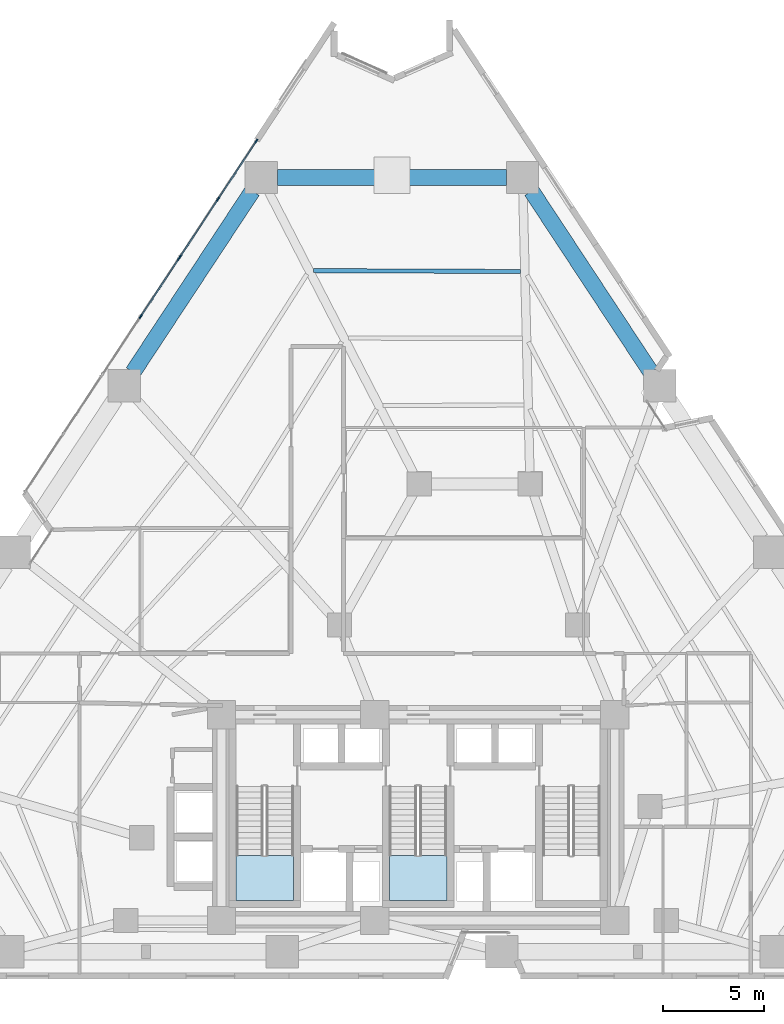
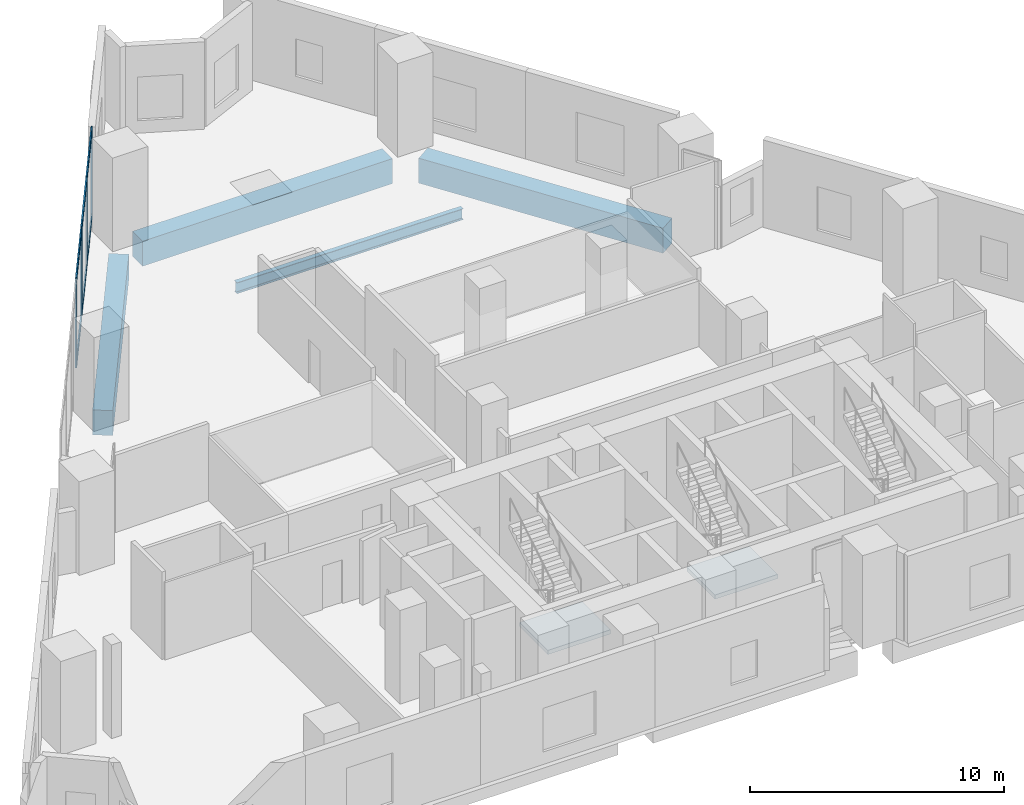
# One storey, part 5 of 12: 11 members, 4 beams, 2 slabs, 4 elements without a shape of their own.
"""IFC4 building model written with IfcOpenShell, lengths in metres."""

from ifc_helpers import new_model, si_unit, direction, frame, origin, origin_2d, place, context, subcontext, project, spatial, polyline, rectangle, i_section, outline, extrude, material, layer, layer_set, material_profile, profile_set, type_object, element, aggregate, save


model = new_model("IFC4")

# Units and contexts
model_context = context("Model", 3, precision=1e-05, world=origin(), true_north=direction((0.0, 1.0)))
body_context = subcontext(model_context, "Body", "Model", "MODEL_VIEW")
ifc_project = project(units=[si_unit("LENGTHUNIT", "METRE"), si_unit("AREAUNIT", "SQUARE_METRE"), si_unit("VOLUMEUNIT", "CUBIC_METRE"), si_unit("PLANEANGLEUNIT", "RADIAN"), si_unit("MASSUNIT", "GRAM", prefix="KILO")], contexts=[model_context])

# Site, building, storey
site_placement = place(None, origin())
site = spatial("IfcSite", under=ifc_project, at=site_placement, CompositionType="ELEMENT")
building_placement = place(site_placement, origin())
building = spatial("IfcBuilding", under=site, at=building_placement, Name="Almagre Mirador Tower", CompositionType="ELEMENT")
storey_placement = place(building_placement, frame((0.0, 0.0, 17.39990234375)))
storey = spatial("IfcBuildingStorey", under=building, at=storey_placement, Name="L03", CompositionType="ELEMENT", Elevation=17.39990234375)

# Beams
ifc_material_1 = material(Name="Steel ASTM A992 Grade 50", Category="steel")
ifc_material_profile_1 = material_profile(ifc_material_1, i_section(OverallWidth=0.208984375, OverallDepth=0.532958984375, WebThickness=0.01025390625, FlangeThickness=0.015625, FilletRadius=0.01806640625, at=origin_2d()), Name="W21X62")
ifc_profile_set_1 = profile_set([ifc_material_profile_1], Name="Steel ASTM A992 Grade 50")
beam_type_1 = type_object("IfcBeamType", Name="BM-JST-W21X62", PredefinedType="JOIST", material=ifc_profile_set_1)
beam_1_placement = place(storey_placement, frame((42.380126953125, 36.728271484375, -0.56640625), z_axis=(-0.99999104287, 0.004232514698, 0.0), x_axis=(-0.004232514698, -0.99999104287, 0.0)))
element("IfcBeam", 1, at=beam_1_placement, inside=storey, type_object=beam_type_1, Name="L03 secondary floor joist PC08-PC09.1", PredefinedType="JOIST", context=body_context, shape_type="SweptSolid", body=[
    extrude(i_section(OverallWidth=0.208984375, OverallDepth=0.532958984375, WebThickness=0.01025390625, FlangeThickness=0.015625, FilletRadius=0.01806640625, at=origin_2d()), origin(), (0.0, 0.0, 1.0), 10.267333984375),
])
ifc_material_2 = material(Name="Precast concrete C50/60", Category="concrete")
ifc_material_profile_2 = material_profile(ifc_material_2, rectangle(XDim=0.800048828125, YDim=1.199951171875, at=origin_2d()), Name="RC800X1200")
ifc_profile_set_2 = profile_set([ifc_material_profile_2], Name="Precast concrete C50/60")
beam_type_2 = type_object("IfcBeamType", Name="BM-SPN-RC800X1200", PredefinedType="SPANDREL", material=ifc_profile_set_2)
beam_2_placement = place(storey_placement, frame((48.837890625, 31.736083984375, -0.89990234375), z_axis=(-0.550214843465, 0.835023129039, 0.0), x_axis=(-0.835023129039, -0.550214843465, 0.0)))
element("IfcBeam", 2, at=beam_2_placement, inside=storey, type_object=beam_type_2, Name="L03 perimeter spandrel beam PC07-PC08", PredefinedType="SPANDREL", context=body_context, shape_type="SweptSolid", body=[
    extrude(rectangle(XDim=0.800048828125, YDim=1.199951171875, at=origin_2d()), origin(), (0.0, 0.0, 1.0), 10.7587890625),
])
beam_3_placement = place(storey_placement, frame((41.677978515625, 41.387939453125, -0.89990234375), z_axis=(-1.0, 0.0, 0.0), x_axis=(0.0, -1.0, 0.0)))
element("IfcBeam", 3, at=beam_3_placement, inside=storey, type_object=beam_type_2, Name="L03 perimeter spandrel beam PC08-PC09", PredefinedType="SPANDREL", context=body_context, shape_type="SweptSolid", body=[
    extrude(rectangle(XDim=0.800048828125, YDim=1.199951171875, at=origin_2d()), origin(), (0.0, 0.0, 1.0), 11.35595703125),
])
beam_4_placement = place(storey_placement, frame((29.081787109375, 40.719970703125, -0.89990234375), z_axis=(-0.550214843465, -0.835023129039, 0.0), x_axis=(0.835023129039, -0.550214843465, 0.0)))
element("IfcBeam", 4, at=beam_4_placement, inside=storey, type_object=beam_type_2, Name="L03 perimeter spandrel beam PC09-PC10", PredefinedType="SPANDREL", context=body_context, shape_type="SweptSolid", body=[
    extrude(rectangle(XDim=0.800048828125, YDim=1.199951171875, at=origin_2d()), origin(), (0.0, 0.0, 1.0), 10.7587890625),
])

# Curtain wall, members
ifc_material_3 = material(Name="Black anodized aluminium", Category="aluminium")
ifc_layer_1 = layer(ifc_material_3, 0.219970703125)
ifc_layer_set_1 = layer_set([ifc_layer_1], Name="Black anodized aluminium")
curtain_wall_type = type_object("IfcCurtainWallType", Name="CW-POD-SYS", PredefinedType="NOTDEFINED", material=ifc_layer_set_1)
curtain_wall_1_placement = place(storey_placement, origin())
curtain_wall_1 = element("IfcCurtainWall", 5, at=curtain_wall_1_placement, inside=storey, type_object=curtain_wall_type, Name="L03 curtain wall run 03", PredefinedType="NOTDEFINED")
ifc_material_4 = material(Name="Black anodized aluminium", Category="aluminium")
ifc_material_profile_3 = material_profile(ifc_material_4, rectangle(XDim=0.070068359375, YDim=0.2099609375, at=origin_2d()), Name="CWM70X210")
ifc_profile_set_3 = profile_set([ifc_material_profile_3], Name="Black anodized aluminium")
member_type_1 = type_object("IfcMemberType", Name="MBR-CWM70X210", PredefinedType="MULLION", material=ifc_profile_set_3)
member_1_placement = place(storey_placement, frame((23.54150390625, 34.492431640625, 0.0), z_axis=(0.0, 0.0, 1.0), x_axis=(-0.835023754276, 0.550213894586, 0.0)))
member_1 = element("IfcMember", 6, at=member_1_placement, type_object=member_type_1, Name="CW-1 mullion 2", PredefinedType="MULLION", context=body_context, shape_type="SweptSolid", body=[
    extrude(rectangle(XDim=0.070068359375, YDim=0.2099609375, at=origin_2d()), origin(), (0.0, 0.0, 1.0), 4.2001953125),
])
member_2_placement = place(storey_placement, frame((25.441650390625, 37.376220703125, 0.0), z_axis=(0.0, 0.0, 1.0), x_axis=(-0.835023754276, 0.550213894586, 0.0)))
member_2 = element("IfcMember", 7, at=member_2_placement, type_object=member_type_1, Name="CW-1 mullion 3", PredefinedType="MULLION", context=body_context, shape_type="SweptSolid", body=[
    extrude(rectangle(XDim=0.070068359375, YDim=0.2099609375, at=origin_2d()), origin(), (0.0, 0.0, 1.0), 4.2001953125),
])

curtain_wall_2_placement = place(storey_placement, origin())
curtain_wall_2 = element("IfcCurtainWall", 8, at=curtain_wall_2_placement, inside=storey, type_object=curtain_wall_type, Name="L03 curtain wall run 04", PredefinedType="NOTDEFINED")
member_3_placement = place(storey_placement, frame((25.480224609375, 37.434814453125, 0.0), z_axis=(0.0, 0.0, 1.0), x_axis=(-0.835023754276, 0.550213894586, 0.0)))
member_3 = element("IfcMember", 9, at=member_3_placement, type_object=member_type_1, Name="CW-1 mullion 1", PredefinedType="MULLION", context=body_context, shape_type="SweptSolid", body=[
    extrude(rectangle(XDim=0.070068359375, YDim=0.2099609375, at=origin_2d()), origin(), (0.0, 0.0, 1.0), 4.2001953125),
])
member_4_placement = place(storey_placement, frame((27.380615234375, 40.318603515625, 0.0), z_axis=(0.0, 0.0, 1.0), x_axis=(-0.835023754276, 0.550213894586, 0.0)))
member_4 = element("IfcMember", 10, at=member_4_placement, type_object=member_type_1, Name="CW-1 mullion 2", PredefinedType="MULLION", context=body_context, shape_type="SweptSolid", body=[
    extrude(rectangle(XDim=0.070068359375, YDim=0.2099609375, at=origin_2d()), origin(), (0.0, 0.0, 1.0), 4.2001953125),
])
member_5_placement = place(storey_placement, frame((29.28076171875, 43.202392578125, 0.0), z_axis=(0.0, 0.0, 1.0), x_axis=(-0.835023754276, 0.550213894586, 0.0)))
member_5 = element("IfcMember", 11, at=member_5_placement, type_object=member_type_1, Name="CW-1 mullion 3", PredefinedType="MULLION", context=body_context, shape_type="SweptSolid", body=[
    extrude(rectangle(XDim=0.070068359375, YDim=0.2099609375, at=origin_2d()), origin(), (0.0, 0.0, 1.0), 4.2001953125),
])

# Member
ifc_material_5 = material(Name="Black anodized aluminium", Category="aluminium")
ifc_material_profile_4 = material_profile(ifc_material_5, rectangle(XDim=0.06494140625, YDim=0.14990234375, at=origin_2d()), Name="CWT65X150")
ifc_profile_set_4 = profile_set([ifc_material_profile_4], Name="Black anodized aluminium")
member_type_2 = type_object("IfcMemberType", Name="MBR-CWT65X150", PredefinedType="USERDEFINED", material=ifc_profile_set_4)
member_6_placement = place(storey_placement, frame((23.560791015625, 34.521728515625, 0.03271484375), z_axis=(0.550179594755, 0.835046354112, 0.0), x_axis=(-0.835046354112, 0.550179594755, 0.0)))
member_6 = element("IfcMember", 12, at=member_6_placement, type_object=member_type_2, Name="CW-1 transom 2.1", ObjectType="TRANSOM", PredefinedType="USERDEFINED", context=body_context, shape_type="SweptSolid", body=[
    extrude(rectangle(XDim=0.06494140625, YDim=0.14990234375, at=origin_2d()), origin(), (0.0, 0.0, 1.0), 3.383544921875),
])

member_7_placement = place(storey_placement, frame((23.560791015625, 34.521728515625, 4.16748046875), z_axis=(0.550179594755, 0.835046354112, 0.0), x_axis=(-0.835046354112, 0.550179594755, 0.0)))
member_7 = element("IfcMember", 13, at=member_7_placement, type_object=member_type_2, Name="CW-1 transom 2.2", ObjectType="TRANSOM", PredefinedType="USERDEFINED", context=body_context, shape_type="SweptSolid", body=[
    extrude(rectangle(XDim=0.06494140625, YDim=0.14990234375, at=origin_2d()), origin(), (0.0, 0.0, 1.0), 3.383544921875),
])

aggregate(curtain_wall_1, [member_1, member_2, member_6, member_7])

member_8_placement = place(storey_placement, frame((25.49951171875, 37.4638671875, 0.03271484375), z_axis=(0.550229905406, 0.835013204205, 0.0), x_axis=(-0.835013204205, 0.550229905406, 0.0)))
member_8 = element("IfcMember", 14, at=member_8_placement, type_object=member_type_2, Name="CW-1 transom 1.1", ObjectType="TRANSOM", PredefinedType="USERDEFINED", context=body_context, shape_type="SweptSolid", body=[
    extrude(rectangle(XDim=0.06494140625, YDim=0.14990234375, at=origin_2d()), origin(), (0.0, 0.0, 1.0), 3.3837890625),
])

member_9_placement = place(storey_placement, frame((25.49951171875, 37.4638671875, 4.16748046875), z_axis=(0.550229905406, 0.835013204205, 0.0), x_axis=(-0.835013204205, 0.550229905406, 0.0)))
member_9 = element("IfcMember", 15, at=member_9_placement, type_object=member_type_2, Name="CW-1 transom 1.2", ObjectType="TRANSOM", PredefinedType="USERDEFINED", context=body_context, shape_type="SweptSolid", body=[
    extrude(rectangle(XDim=0.06494140625, YDim=0.14990234375, at=origin_2d()), origin(), (0.0, 0.0, 1.0), 3.3837890625),
])

member_10_placement = place(storey_placement, frame((27.399658203125, 40.347900390625, 0.03271484375), z_axis=(0.550229905406, 0.835013204205, 0.0), x_axis=(-0.835013204205, 0.550229905406, 0.0)))
member_10 = element("IfcMember", 16, at=member_10_placement, type_object=member_type_2, Name="CW-1 transom 2.1", ObjectType="TRANSOM", PredefinedType="USERDEFINED", context=body_context, shape_type="SweptSolid", body=[
    extrude(rectangle(XDim=0.06494140625, YDim=0.14990234375, at=origin_2d()), origin(), (0.0, 0.0, 1.0), 3.3837890625),
])

member_11_placement = place(storey_placement, frame((27.399658203125, 40.347900390625, 4.16748046875), z_axis=(0.550229905406, 0.835013204205, 0.0), x_axis=(-0.835013204205, 0.550229905406, 0.0)))
member_11 = element("IfcMember", 17, at=member_11_placement, type_object=member_type_2, Name="CW-1 transom 2.2", ObjectType="TRANSOM", PredefinedType="USERDEFINED", context=body_context, shape_type="SweptSolid", body=[
    extrude(rectangle(XDim=0.06494140625, YDim=0.14990234375, at=origin_2d()), origin(), (0.0, 0.0, 1.0), 3.3837890625),
])

aggregate(curtain_wall_2, [member_3, member_4, member_5, member_8, member_9, member_10, member_11])

# Stair, slab
ifc_material_6 = material(Name="Concrete C45/55", Category="concrete")
stair_type = type_object("IfcStairType", Name="STR-DL-4500", PredefinedType="HALF_TURN_STAIR", material=ifc_material_6)
stair_1_placement = place(storey_placement, origin())
stair_1 = element("IfcStair", 18, at=stair_1_placement, inside=storey, type_object=stair_type, Name="L03 Protected exit stair ST-1", PredefinedType="HALF_TURN_STAIR")
ifc_material_7 = material(Name="Concrete C45/55", Category="concrete")
ifc_layer_2 = layer(ifc_material_7, 0.199951171875)
ifc_layer_set_2 = layer_set([ifc_layer_2], Name="Concrete C45/55")
slab_type = type_object("IfcSlabType", Name="SLB-LND-200", PredefinedType="LANDING", material=ifc_layer_set_2)
slab_1_placement = place(storey_placement, frame((0.0, 0.0, 2.050048828125)))
slab_1 = element("IfcSlab", 19, at=slab_1_placement, type_object=slab_type, Name="ST-1 landing 1", PredefinedType="LANDING", context=body_context, shape_type="SweptSolid", body=[
    extrude(outline(polyline([(28.27490234375, 7.780029296875), (28.27490234375, 5.550048828125), (31.125, 5.550048828125), (31.125, 7.780029296875), (28.27490234375, 7.780029296875)])), origin(), (0.0, 0.0, 1.0), 0.199951171875),
])
aggregate(stair_1, [slab_1])

stair_2_placement = place(storey_placement, origin())
stair_2 = element("IfcStair", 20, at=stair_2_placement, inside=storey, type_object=stair_type, Name="L03 Protected exit stair ST-2", PredefinedType="HALF_TURN_STAIR")
slab_2_placement = place(storey_placement, frame((0.0, 0.0, 2.050048828125)))
slab_2 = element("IfcSlab", 21, at=slab_2_placement, type_object=slab_type, Name="ST-2 landing 1", PredefinedType="LANDING", context=body_context, shape_type="SweptSolid", body=[
    extrude(outline(polyline([(35.875, 7.780029296875), (35.875, 5.550048828125), (38.72509765625, 5.550048828125), (38.72509765625, 7.780029296875), (35.875, 7.780029296875)])), origin(), (0.0, 0.0, 1.0), 0.199951171875),
])
aggregate(stair_2, [slab_2])

save(model, "model.ifc")
